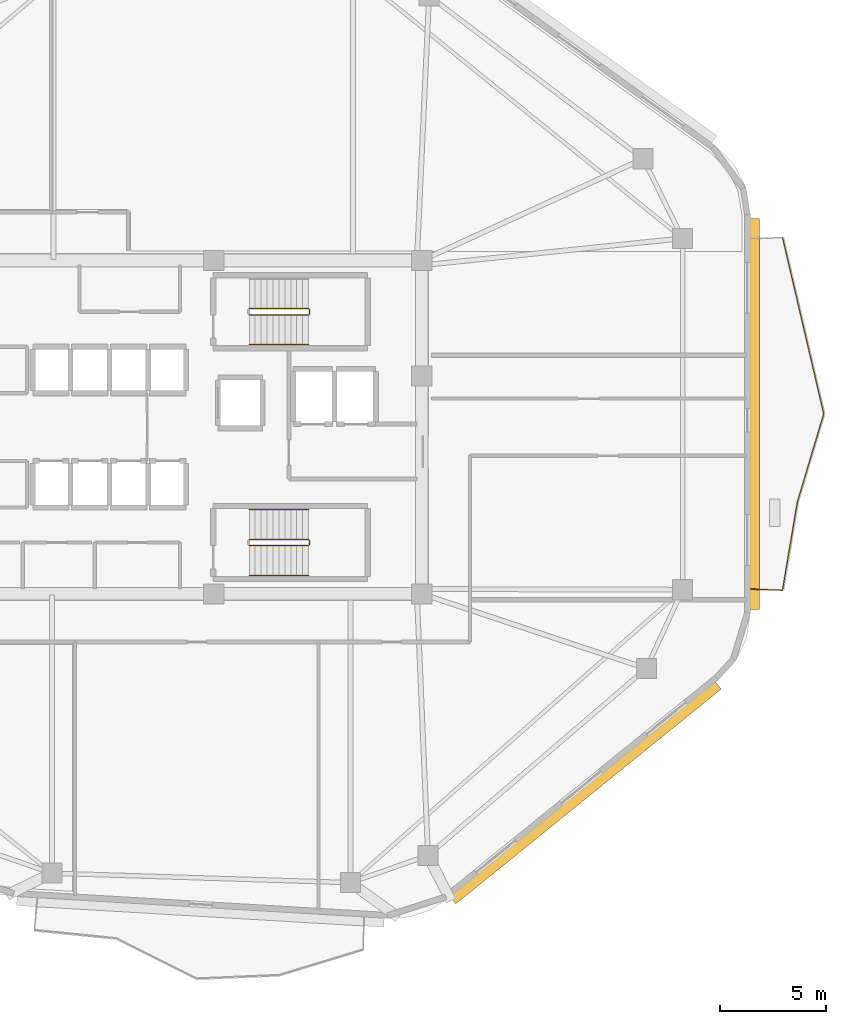
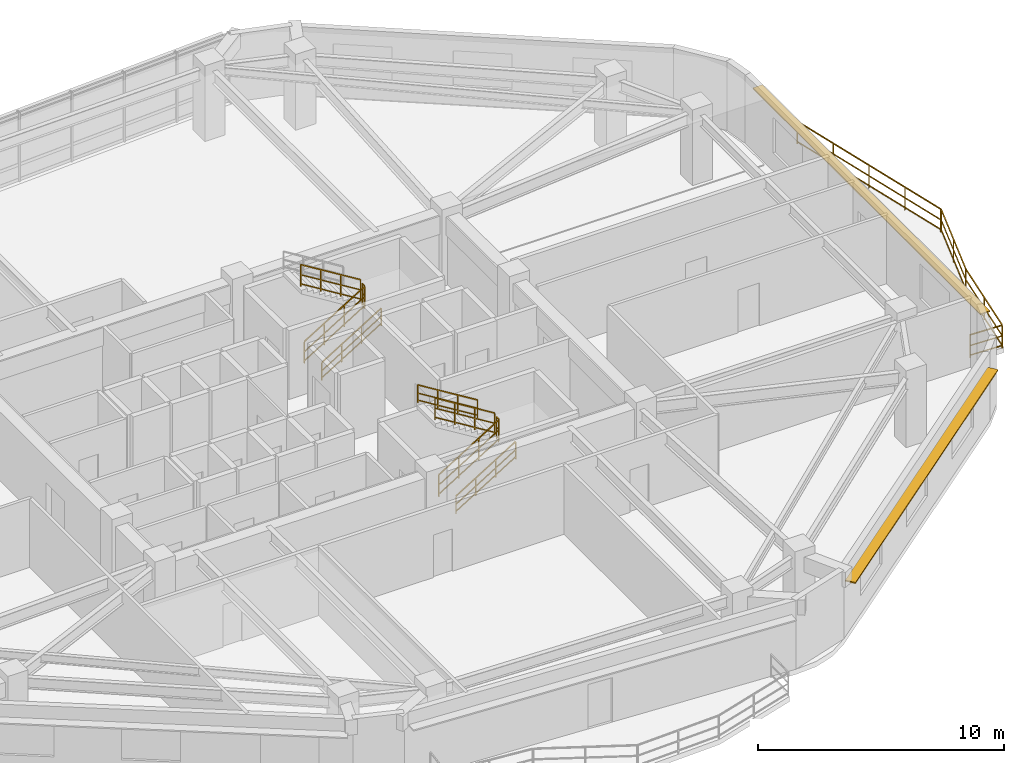
# One storey, part 13 of 14: 13 railings, 2 shading devices.
"""IFC4 building model written with IfcOpenShell, lengths in metres."""

from ifc_helpers import new_model, si_unit, direction, frame, origin, origin_2d, place, context, subcontext, project, spatial, rectangle, extrude, material, layer, layer_set, type_object, element, save


model = new_model("IFC4")

# Units and contexts
model_context = context("Model", 3, precision=1e-05, world=origin(), true_north=direction((0.0, 1.0)))
body_context = subcontext(model_context, "Body", "Model", "MODEL_VIEW")
ifc_project = project(units=[si_unit("LENGTHUNIT", "METRE"), si_unit("AREAUNIT", "SQUARE_METRE"), si_unit("VOLUMEUNIT", "CUBIC_METRE"), si_unit("PLANEANGLEUNIT", "RADIAN"), si_unit("MASSUNIT", "GRAM", prefix="KILO")], contexts=[model_context])

# Site, building, storey
site_placement = place(None, origin())
site = spatial("IfcSite", under=ifc_project, at=site_placement, CompositionType="ELEMENT")
building_placement = place(site_placement, origin())
building = spatial("IfcBuilding", under=site, at=building_placement, Name="Zulverin Broadcast Headquarters", CompositionType="ELEMENT")
storey_placement = place(building_placement, frame((0.0, 0.0, 216.199951171875)))
storey = spatial("IfcBuildingStorey", under=building, at=storey_placement, Name="L55", CompositionType="ELEMENT", Elevation=216.199951171875)

# Railings
ifc_material_1 = material(Name="Brushed stainless steel & laminated glass balustrade", Category="steel")
railing_type_1 = type_object("IfcRailingType", Name="RL-GUARD-1150", PredefinedType="GUARDRAIL", material=ifc_material_1)
railing_1_placement = place(storey_placement, frame((63.840087890625, 17.55029296875, 0.0)))
element("IfcRailing", 1, at=railing_1_placement, inside=storey, type_object=railing_type_1, Name="L55 Vertical-Forest Balcony Guardrail BAL_E Segment 01", PredefinedType="GUARDRAIL", context=body_context, shape_type="SweptSolid", body=[
    extrude(rectangle(XDim=0.048095703125, YDim=0.048095703125, at=origin_2d()), frame((0.0, 0.0, 1.1259765625), z_axis=(0.99918088253, -0.040466825742, 0.0), x_axis=(0.040466825742, 0.99918088253, 0.0)), (0.0, 0.0, 1.0), 1.466064453125),
    extrude(rectangle(XDim=0.0419921875, YDim=0.0419921875, at=origin_2d()), frame((0.0, 0.0, 0.597900390625), z_axis=(0.99918088253, -0.040466825742, 0.0), x_axis=(0.040466825742, 0.99918088253, 0.0)), (0.0, 0.0, 1.0), 1.466064453125),
    extrude(rectangle(XDim=0.0419921875, YDim=0.0419921875, at=origin_2d()), frame((0.0, 0.0, 0.1201171875), z_axis=(0.99918088253, -0.040466825742, 0.0), x_axis=(0.040466825742, 0.99918088253, 0.0)), (0.0, 0.0, 1.0), 1.466064453125),
    extrude(rectangle(XDim=0.0419921875, YDim=0.0419921875, at=origin_2d()), origin(), (0.0, 0.0, 1.0), 1.101806640625),
    extrude(rectangle(XDim=0.0419921875, YDim=0.0419921875, at=origin_2d()), frame((1.46484375, -0.059326171875, 0.0)), (0.0, 0.0, 1.0), 1.101806640625),
])
railing_2_placement = place(storey_placement, frame((65.322509765625, 17.505126953125, 0.0)))
element("IfcRailing", 2, at=railing_2_placement, inside=storey, type_object=railing_type_1, Name="L55 Vertical-Forest Balcony Guardrail BAL_E Segment 02", PredefinedType="GUARDRAIL", context=body_context, shape_type="SweptSolid", body=[
    extrude(rectangle(XDim=0.048095703125, YDim=0.048095703125, at=origin_2d()), frame((0.0, 0.0, 1.1259765625), z_axis=(0.166049268178, 0.986117457779, 0.0), x_axis=(-0.986117457779, 0.166049268178, 0.0)), (0.0, 0.0, 1.0), 4.19775390625),
    extrude(rectangle(XDim=0.0419921875, YDim=0.0419921875, at=origin_2d()), frame((0.0, 0.0, 0.597900390625), z_axis=(0.166049268178, 0.986117457779, 0.0), x_axis=(-0.986117457779, 0.166049268178, 0.0)), (0.0, 0.0, 1.0), 4.19775390625),
    extrude(rectangle(XDim=0.0419921875, YDim=0.0419921875, at=origin_2d()), frame((0.0, 0.0, 0.1201171875), z_axis=(0.166049268178, 0.986117457779, 0.0), x_axis=(-0.986117457779, 0.166049268178, 0.0)), (0.0, 0.0, 1.0), 4.19775390625),
    extrude(rectangle(XDim=0.0419921875, YDim=0.0419921875, at=origin_2d()), origin(), (0.0, 0.0, 1.0), 1.101806640625),
    extrude(rectangle(XDim=0.0419921875, YDim=0.0419921875, at=origin_2d()), frame((0.3486328125, 2.06982421875, 0.0)), (0.0, 0.0, 1.0), 1.101806640625),
    extrude(rectangle(XDim=0.0419921875, YDim=0.0419921875, at=origin_2d()), frame((0.697021484375, 4.139404296875, 0.0)), (0.0, 0.0, 1.0), 1.101806640625),
])
railing_3_placement = place(storey_placement, frame((66.0263671875, 21.673583984375, 0.0)))
element("IfcRailing", 3, at=railing_3_placement, inside=storey, type_object=railing_type_1, Name="L55 Vertical-Forest Balcony Guardrail BAL_E Segment 03", PredefinedType="GUARDRAIL", context=body_context, shape_type="SweptSolid", body=[
    extrude(rectangle(XDim=0.048095703125, YDim=0.048095703125, at=origin_2d()), frame((0.0, 0.0, 1.1259765625), z_axis=(0.286741471178, 0.958008000336, 0.0), x_axis=(-0.958008000336, 0.286741471178, 0.0)), (0.0, 0.0, 1.0), 4.32177734375),
    extrude(rectangle(XDim=0.0419921875, YDim=0.0419921875, at=origin_2d()), frame((0.0, 0.0, 0.597900390625), z_axis=(0.286741471178, 0.958008000336, 0.0), x_axis=(-0.958008000336, 0.286741471178, 0.0)), (0.0, 0.0, 1.0), 4.32177734375),
    extrude(rectangle(XDim=0.0419921875, YDim=0.0419921875, at=origin_2d()), frame((0.0, 0.0, 0.1201171875), z_axis=(0.286741471178, 0.958008000336, 0.0), x_axis=(-0.958008000336, 0.286741471178, 0.0)), (0.0, 0.0, 1.0), 4.32177734375),
    extrude(rectangle(XDim=0.0419921875, YDim=0.0419921875, at=origin_2d()), origin(), (0.0, 0.0, 1.0), 1.101806640625),
    extrude(rectangle(XDim=0.0419921875, YDim=0.0419921875, at=origin_2d()), frame((0.61962890625, 2.0703125, 0.0)), (0.0, 0.0, 1.0), 1.101806640625),
    extrude(rectangle(XDim=0.0419921875, YDim=0.0419921875, at=origin_2d()), frame((1.2392578125, 4.140380859375, 0.0)), (0.0, 0.0, 1.0), 1.101806640625),
])
railing_4_placement = place(storey_placement, frame((67.2666015625, 25.843017578125, 0.0)))
element("IfcRailing", 4, at=railing_4_placement, inside=storey, type_object=railing_type_1, Name="L55 Vertical-Forest Balcony Guardrail BAL_E Segment 04", PredefinedType="GUARDRAIL", context=body_context, shape_type="SweptSolid", body=[
    extrude(rectangle(XDim=0.048095703125, YDim=0.048095703125, at=origin_2d()), frame((0.0, 0.0, 1.1259765625), z_axis=(-0.227723438498, 0.973725852362, 0.0), x_axis=(-0.973725852362, -0.227723438498, 0.0)), (0.0, 0.0, 1.0), 8.53271484375),
    extrude(rectangle(XDim=0.0419921875, YDim=0.0419921875, at=origin_2d()), frame((0.0, 0.0, 0.597900390625), z_axis=(-0.227723438498, 0.973725852362, 0.0), x_axis=(-0.973725852362, -0.227723438498, 0.0)), (0.0, 0.0, 1.0), 8.53271484375),
    extrude(rectangle(XDim=0.0419921875, YDim=0.0419921875, at=origin_2d()), frame((0.0, 0.0, 0.1201171875), z_axis=(-0.227723438498, 0.973725852362, 0.0), x_axis=(-0.973725852362, -0.227723438498, 0.0)), (0.0, 0.0, 1.0), 8.53271484375),
    extrude(rectangle(XDim=0.0419921875, YDim=0.0419921875, at=origin_2d()), origin(), (0.0, 0.0, 1.0), 1.101806640625),
    extrude(rectangle(XDim=0.0419921875, YDim=0.0419921875, at=origin_2d()), frame((-0.48583984375, 2.0771484375, 0.0)), (0.0, 0.0, 1.0), 1.101806640625),
    extrude(rectangle(XDim=0.0419921875, YDim=0.0419921875, at=origin_2d()), frame((-0.9716796875, 4.154296875, 0.0)), (0.0, 0.0, 1.0), 1.101806640625),
    extrude(rectangle(XDim=0.0419921875, YDim=0.0419921875, at=origin_2d()), frame((-1.457275390625, 6.2314453125, 0.0)), (0.0, 0.0, 1.0), 1.101806640625),
    extrude(rectangle(XDim=0.0419921875, YDim=0.0419921875, at=origin_2d()), frame((-1.943115234375, 8.30859375, 0.0)), (0.0, 0.0, 1.0), 1.101806640625),
])
ifc_material_2 = material(Name="Painted galvanized steel tubular guardrail S355JR", Category="steel")
railing_type_2 = type_object("IfcRailingType", Name="RL-ST-GUARD", PredefinedType="GUARDRAIL", material=ifc_material_2)
railing_5_placement = place(storey_placement, frame((40.1298828125, 30.5, 0.1728515625)))
element("IfcRailing", 5, at=railing_5_placement, inside=storey, type_object=railing_type_2, Name="L55 ST-1 stair guard 1", PredefinedType="GUARDRAIL", context=body_context, shape_type="SweptSolid", body=[
    extrude(rectangle(XDim=0.048095703125, YDim=0.048095703125, at=origin_2d()), frame((0.0, 0.0, 1.076171875), z_axis=(0.851089632645, 0.0, 0.525020415988), x_axis=(0.0, 1.0, 0.0)), (0.0, 0.0, 1.0), 3.2900390625),
    extrude(rectangle(XDim=0.0419921875, YDim=0.0419921875, at=origin_2d()), frame((0.0, 0.0, 0.572021484375), z_axis=(0.851089632645, 0.0, 0.525020415988), x_axis=(0.0, 1.0, 0.0)), (0.0, 0.0, 1.0), 3.2900390625),
    extrude(rectangle(XDim=0.0419921875, YDim=0.0419921875, at=origin_2d()), frame((0.0, 0.0, 0.1201171875), z_axis=(0.851089632645, 0.0, 0.525020415988), x_axis=(0.0, 1.0, 0.0)), (0.0, 0.0, 1.0), 3.2900390625),
    extrude(rectangle(XDim=0.0419921875, YDim=0.0419921875, at=origin_2d()), origin(), (0.0, 0.0, 1.0), 1.052001953125),
    extrude(rectangle(XDim=0.0419921875, YDim=0.0419921875, at=origin_2d()), frame((0.933349609375, 0.0, 0.57568359375)), (0.0, 0.0, 1.0), 1.052001953125),
    extrude(rectangle(XDim=0.0419921875, YDim=0.0419921875, at=origin_2d()), frame((1.86669921875, 0.0, 1.151611328125)), (0.0, 0.0, 1.0), 1.052001953125),
    extrude(rectangle(XDim=0.0419921875, YDim=0.0419921875, at=origin_2d()), frame((2.800048828125, 0.0, 1.727294921875)), (0.0, 0.0, 1.0), 1.052001953125),
])
railing_6_placement = place(storey_placement, frame((42.97998046875, 30.550048828125, 1.900146484375)))
element("IfcRailing", 6, at=railing_6_placement, inside=storey, type_object=railing_type_2, Name="L55 ST-1 stair guard 2", PredefinedType="GUARDRAIL", context=body_context, shape_type="SweptSolid", body=[
    extrude(rectangle(XDim=0.048095703125, YDim=0.048095703125, at=origin_2d()), frame((0.0, 0.0, 1.076171875), z_axis=(0.0, 1.0, 0.0), x_axis=(-1.0, 0.0, 0.0)), (0.0, 0.0, 1.0), 0.199951171875),
    extrude(rectangle(XDim=0.0419921875, YDim=0.0419921875, at=origin_2d()), frame((0.0, 0.0, 0.572021484375), z_axis=(0.0, 1.0, 0.0), x_axis=(-1.0, 0.0, 0.0)), (0.0, 0.0, 1.0), 0.199951171875),
    extrude(rectangle(XDim=0.0419921875, YDim=0.0419921875, at=origin_2d()), frame((0.0, 0.0, 0.1201171875), z_axis=(0.0, 1.0, 0.0), x_axis=(-1.0, 0.0, 0.0)), (0.0, 0.0, 1.0), 0.199951171875),
    extrude(rectangle(XDim=0.0419921875, YDim=0.0419921875, at=origin_2d()), origin(), (0.0, 0.0, 1.0), 1.052001953125),
    extrude(rectangle(XDim=0.0419921875, YDim=0.0419921875, at=origin_2d()), frame((0.0, 0.199951171875, 0.0)), (0.0, 0.0, 1.0), 1.052001953125),
])
railing_7_placement = place(storey_placement, frame((42.929931640625, 30.800048828125, 2.07275390625)))
element("IfcRailing", 7, at=railing_7_placement, inside=storey, type_object=railing_type_2, Name="L55 ST-1 stair guard 3", PredefinedType="GUARDRAIL", context=body_context, shape_type="SweptSolid", body=[
    extrude(rectangle(XDim=0.048095703125, YDim=0.048095703125, at=origin_2d()), frame((0.0, 0.0, 1.076171875), z_axis=(-0.851089632645, 0.0, 0.525020415988), x_axis=(0.0, -1.0, 0.0)), (0.0, 0.0, 1.0), 3.2900390625),
    extrude(rectangle(XDim=0.0419921875, YDim=0.0419921875, at=origin_2d()), frame((0.0, 0.0, 0.572021484375), z_axis=(-0.851089632645, 0.0, 0.525020415988), x_axis=(0.0, -1.0, 0.0)), (0.0, 0.0, 1.0), 3.2900390625),
    extrude(rectangle(XDim=0.0419921875, YDim=0.0419921875, at=origin_2d()), frame((0.0, 0.0, 0.1201171875), z_axis=(-0.851089632645, 0.0, 0.525020415988), x_axis=(0.0, -1.0, 0.0)), (0.0, 0.0, 1.0), 3.2900390625),
    extrude(rectangle(XDim=0.0419921875, YDim=0.0419921875, at=origin_2d()), origin(), (0.0, 0.0, 1.0), 1.052001953125),
    extrude(rectangle(XDim=0.0419921875, YDim=0.0419921875, at=origin_2d()), frame((-0.933349609375, 0.0, 0.57568359375)), (0.0, 0.0, 1.0), 1.052001953125),
    extrude(rectangle(XDim=0.0419921875, YDim=0.0419921875, at=origin_2d()), frame((-1.86669921875, 0.0, 1.151611328125)), (0.0, 0.0, 1.0), 1.052001953125),
    extrude(rectangle(XDim=0.0419921875, YDim=0.0419921875, at=origin_2d()), frame((-2.800048828125, 0.0, 1.727294921875)), (0.0, 0.0, 1.0), 1.052001953125),
])
railing_8_placement = place(storey_placement, frame((40.1298828125, 19.60009765625, 0.1728515625)))
element("IfcRailing", 8, at=railing_8_placement, inside=storey, type_object=railing_type_2, Name="L55 ST-2 stair guard 1", PredefinedType="GUARDRAIL", context=body_context, shape_type="SweptSolid", body=[
    extrude(rectangle(XDim=0.048095703125, YDim=0.048095703125, at=origin_2d()), frame((0.0, 0.0, 1.076171875), z_axis=(0.851089632645, 0.0, 0.525020415988), x_axis=(0.0, 1.0, 0.0)), (0.0, 0.0, 1.0), 3.2900390625),
    extrude(rectangle(XDim=0.0419921875, YDim=0.0419921875, at=origin_2d()), frame((0.0, 0.0, 0.572021484375), z_axis=(0.851089632645, 0.0, 0.525020415988), x_axis=(0.0, 1.0, 0.0)), (0.0, 0.0, 1.0), 3.2900390625),
    extrude(rectangle(XDim=0.0419921875, YDim=0.0419921875, at=origin_2d()), frame((0.0, 0.0, 0.1201171875), z_axis=(0.851089632645, 0.0, 0.525020415988), x_axis=(0.0, 1.0, 0.0)), (0.0, 0.0, 1.0), 3.2900390625),
    extrude(rectangle(XDim=0.0419921875, YDim=0.0419921875, at=origin_2d()), origin(), (0.0, 0.0, 1.0), 1.052001953125),
    extrude(rectangle(XDim=0.0419921875, YDim=0.0419921875, at=origin_2d()), frame((0.933349609375, 0.0, 0.57568359375)), (0.0, 0.0, 1.0), 1.052001953125),
    extrude(rectangle(XDim=0.0419921875, YDim=0.0419921875, at=origin_2d()), frame((1.86669921875, 0.0, 1.151611328125)), (0.0, 0.0, 1.0), 1.052001953125),
    extrude(rectangle(XDim=0.0419921875, YDim=0.0419921875, at=origin_2d()), frame((2.800048828125, 0.0, 1.727294921875)), (0.0, 0.0, 1.0), 1.052001953125),
])
railing_9_placement = place(storey_placement, frame((42.97998046875, 19.64990234375, 1.900146484375)))
element("IfcRailing", 9, at=railing_9_placement, inside=storey, type_object=railing_type_2, Name="L55 ST-2 stair guard 2", PredefinedType="GUARDRAIL", context=body_context, shape_type="SweptSolid", body=[
    extrude(rectangle(XDim=0.048095703125, YDim=0.048095703125, at=origin_2d()), frame((0.0, 0.0, 1.076171875), z_axis=(0.0, 1.0, 0.0), x_axis=(-1.0, 0.0, 0.0)), (0.0, 0.0, 1.0), 0.2001953125),
    extrude(rectangle(XDim=0.0419921875, YDim=0.0419921875, at=origin_2d()), frame((0.0, 0.0, 0.572021484375), z_axis=(0.0, 1.0, 0.0), x_axis=(-1.0, 0.0, 0.0)), (0.0, 0.0, 1.0), 0.2001953125),
    extrude(rectangle(XDim=0.0419921875, YDim=0.0419921875, at=origin_2d()), frame((0.0, 0.0, 0.1201171875), z_axis=(0.0, 1.0, 0.0), x_axis=(-1.0, 0.0, 0.0)), (0.0, 0.0, 1.0), 0.2001953125),
    extrude(rectangle(XDim=0.0419921875, YDim=0.0419921875, at=origin_2d()), origin(), (0.0, 0.0, 1.0), 1.052001953125),
    extrude(rectangle(XDim=0.0419921875, YDim=0.0419921875, at=origin_2d()), frame((0.0, 0.2001953125, 0.0)), (0.0, 0.0, 1.0), 1.052001953125),
])
railing_10_placement = place(storey_placement, frame((42.929931640625, 19.89990234375, 2.07275390625)))
element("IfcRailing", 10, at=railing_10_placement, inside=storey, type_object=railing_type_2, Name="L55 ST-2 stair guard 3", PredefinedType="GUARDRAIL", context=body_context, shape_type="SweptSolid", body=[
    extrude(rectangle(XDim=0.048095703125, YDim=0.048095703125, at=origin_2d()), frame((0.0, 0.0, 1.076171875), z_axis=(-0.851089632645, 0.0, 0.525020415988), x_axis=(0.0, -1.0, 0.0)), (0.0, 0.0, 1.0), 3.2900390625),
    extrude(rectangle(XDim=0.0419921875, YDim=0.0419921875, at=origin_2d()), frame((0.0, 0.0, 0.572021484375), z_axis=(-0.851089632645, 0.0, 0.525020415988), x_axis=(0.0, -1.0, 0.0)), (0.0, 0.0, 1.0), 3.2900390625),
    extrude(rectangle(XDim=0.0419921875, YDim=0.0419921875, at=origin_2d()), frame((0.0, 0.0, 0.1201171875), z_axis=(-0.851089632645, 0.0, 0.525020415988), x_axis=(0.0, -1.0, 0.0)), (0.0, 0.0, 1.0), 3.2900390625),
    extrude(rectangle(XDim=0.0419921875, YDim=0.0419921875, at=origin_2d()), origin(), (0.0, 0.0, 1.0), 1.052001953125),
    extrude(rectangle(XDim=0.0419921875, YDim=0.0419921875, at=origin_2d()), frame((-0.933349609375, 0.0, 0.57568359375)), (0.0, 0.0, 1.0), 1.052001953125),
    extrude(rectangle(XDim=0.0419921875, YDim=0.0419921875, at=origin_2d()), frame((-1.86669921875, 0.0, 1.151611328125)), (0.0, 0.0, 1.0), 1.052001953125),
    extrude(rectangle(XDim=0.0419921875, YDim=0.0419921875, at=origin_2d()), frame((-2.800048828125, 0.0, 1.727294921875)), (0.0, 0.0, 1.0), 1.052001953125),
])
ifc_material_3 = material(Name="Brushed stainless steel 48 mm handrail", Category="steel")
railing_type_3 = type_object("IfcRailingType", Name="RL-ST-HAND", PredefinedType="HANDRAIL", material=ifc_material_3)
for number, where, name in (
    (11, (40.1298828125, 29.10009765625, 0.1728515625), "L55 ST-1 stair handrail 1"),
    (12, (40.1298828125, 18.199951171875, 0.1728515625), "L55 ST-2 stair handrail 1"),
):
    element("IfcRailing", number, at=place(storey_placement, frame(where)), inside=storey, type_object=railing_type_3, Name=name, PredefinedType="HANDRAIL", context=body_context, shape_type="SweptSolid", body=[
        extrude(rectangle(XDim=0.048095703125, YDim=0.048095703125, at=origin_2d()), frame((0.0, 0.0, 0.8759765625), z_axis=(0.851089632645, 0.0, 0.525020415988), x_axis=(0.0, 1.0, 0.0)), (0.0, 0.0, 1.0), 3.2900390625),
        extrude(rectangle(XDim=0.0419921875, YDim=0.0419921875, at=origin_2d()), frame((0.0, 0.0, 0.468017578125), z_axis=(0.851089632645, 0.0, 0.525020415988), x_axis=(0.0, 1.0, 0.0)), (0.0, 0.0, 1.0), 3.2900390625),
        extrude(rectangle(XDim=0.0419921875, YDim=0.0419921875, at=origin_2d()), frame((0.0, 0.0, 0.1201171875), z_axis=(0.851089632645, 0.0, 0.525020415988), x_axis=(0.0, 1.0, 0.0)), (0.0, 0.0, 1.0), 3.2900390625),
        extrude(rectangle(XDim=0.0419921875, YDim=0.0419921875, at=origin_2d()), origin(), (0.0, 0.0, 1.0), 0.851806640625),
        extrude(rectangle(XDim=0.0419921875, YDim=0.0419921875, at=origin_2d()), frame((0.933349609375, 0.0, 0.57568359375)), (0.0, 0.0, 1.0), 0.851806640625),
        extrude(rectangle(XDim=0.0419921875, YDim=0.0419921875, at=origin_2d()), frame((1.86669921875, 0.0, 1.151611328125)), (0.0, 0.0, 1.0), 0.851806640625),
        extrude(rectangle(XDim=0.0419921875, YDim=0.0419921875, at=origin_2d()), frame((2.800048828125, 0.0, 1.727294921875)), (0.0, 0.0, 1.0), 0.851806640625),
    ])
railing_11_placement = place(storey_placement, frame((42.929931640625, 21.300048828125, 2.07275390625)))
element("IfcRailing", 13, at=railing_11_placement, inside=storey, type_object=railing_type_3, Name="L55 ST-2 stair handrail 2", PredefinedType="HANDRAIL", context=body_context, shape_type="SweptSolid", body=[
    extrude(rectangle(XDim=0.048095703125, YDim=0.048095703125, at=origin_2d()), frame((0.0, 0.0, 0.8759765625), z_axis=(-0.851089632645, 0.0, 0.525020415988), x_axis=(0.0, -1.0, 0.0)), (0.0, 0.0, 1.0), 3.2900390625),
    extrude(rectangle(XDim=0.0419921875, YDim=0.0419921875, at=origin_2d()), frame((0.0, 0.0, 0.468017578125), z_axis=(-0.851089632645, 0.0, 0.525020415988), x_axis=(0.0, -1.0, 0.0)), (0.0, 0.0, 1.0), 3.2900390625),
    extrude(rectangle(XDim=0.0419921875, YDim=0.0419921875, at=origin_2d()), frame((0.0, 0.0, 0.1201171875), z_axis=(-0.851089632645, 0.0, 0.525020415988), x_axis=(0.0, -1.0, 0.0)), (0.0, 0.0, 1.0), 3.2900390625),
    extrude(rectangle(XDim=0.0419921875, YDim=0.0419921875, at=origin_2d()), origin(), (0.0, 0.0, 1.0), 0.851806640625),
    extrude(rectangle(XDim=0.0419921875, YDim=0.0419921875, at=origin_2d()), frame((-0.933349609375, 0.0, 0.57568359375)), (0.0, 0.0, 1.0), 0.851806640625),
    extrude(rectangle(XDim=0.0419921875, YDim=0.0419921875, at=origin_2d()), frame((-1.86669921875, 0.0, 1.151611328125)), (0.0, 0.0, 1.0), 0.851806640625),
    extrude(rectangle(XDim=0.0419921875, YDim=0.0419921875, at=origin_2d()), frame((-2.800048828125, 0.0, 1.727294921875)), (0.0, 0.0, 1.0), 0.851806640625),
])

# Shading devices
ifc_material_4 = material(Name="Anodized pale-metal aluminium sunshade", Category="aluminium")
ifc_layer = layer(ifc_material_4, 0.06005859375, Name="Anodized pale-metal aluminium sunshade", Category="aluminium")
ifc_layer_set = layer_set([ifc_layer], Name="Anodized pale-metal aluminium sunshade")
shading_device_type = type_object("IfcShadingDeviceType", Name="SS-01_PALE_METAL_ALUMINIUM_SUNSHADE", PredefinedType="USERDEFINED", material=ifc_layer_set)
shading_device_1_placement = place(storey_placement, frame((56.014404296875, 7.922607421875, 2.7099609375), z_axis=(0.0, 0.0, 1.0), x_axis=(0.777274454694, 0.629161681987, 0.0)))
element("IfcShadingDevice", 14, at=shading_device_1_placement, inside=storey, type_object=shading_device_type, Name="L55 Horizontal Pale-Metal Sunshade Band 2", ObjectType="SUNSHADE", PredefinedType="USERDEFINED", context=body_context, shape_type="SweptSolid", body=[
    extrude(rectangle(XDim=16.139892578125, YDim=0.449951171875, at=origin_2d()), origin(), (0.0, 0.0, 1.0), 0.06005859375),
])
shading_device_2_placement = place(storey_placement, frame((64.0, 25.828369140625, 2.7099609375), z_axis=(0.0, 0.0, 1.0), x_axis=(0.0, 1.0, 0.0)))
element("IfcShadingDevice", 15, at=shading_device_2_placement, inside=storey, type_object=shading_device_type, Name="L55 Horizontal Pale-Metal Sunshade Band 3", ObjectType="SUNSHADE", PredefinedType="USERDEFINED", context=body_context, shape_type="SweptSolid", body=[
    extrude(rectangle(XDim=18.475830078125, YDim=0.449951171875, at=origin_2d()), origin(), (0.0, 0.0, 1.0), 0.06005859375),
])

save(model, "model.ifc")
